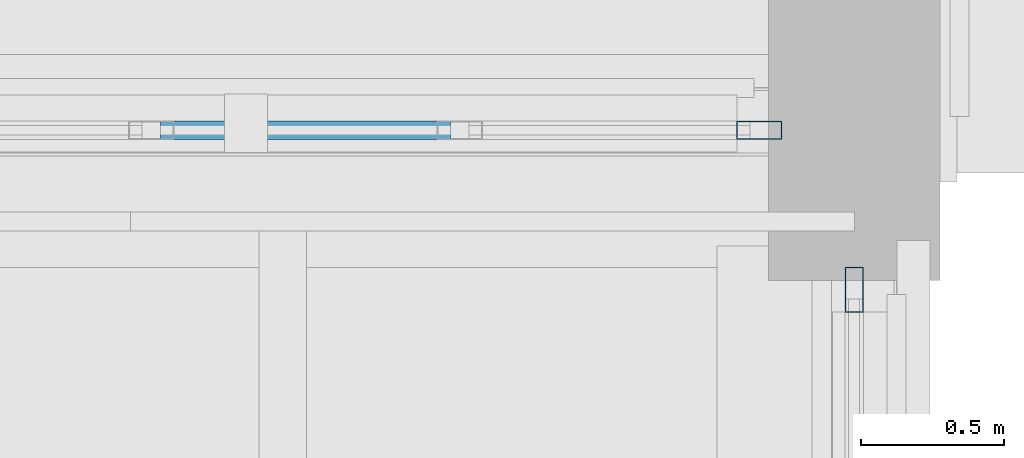
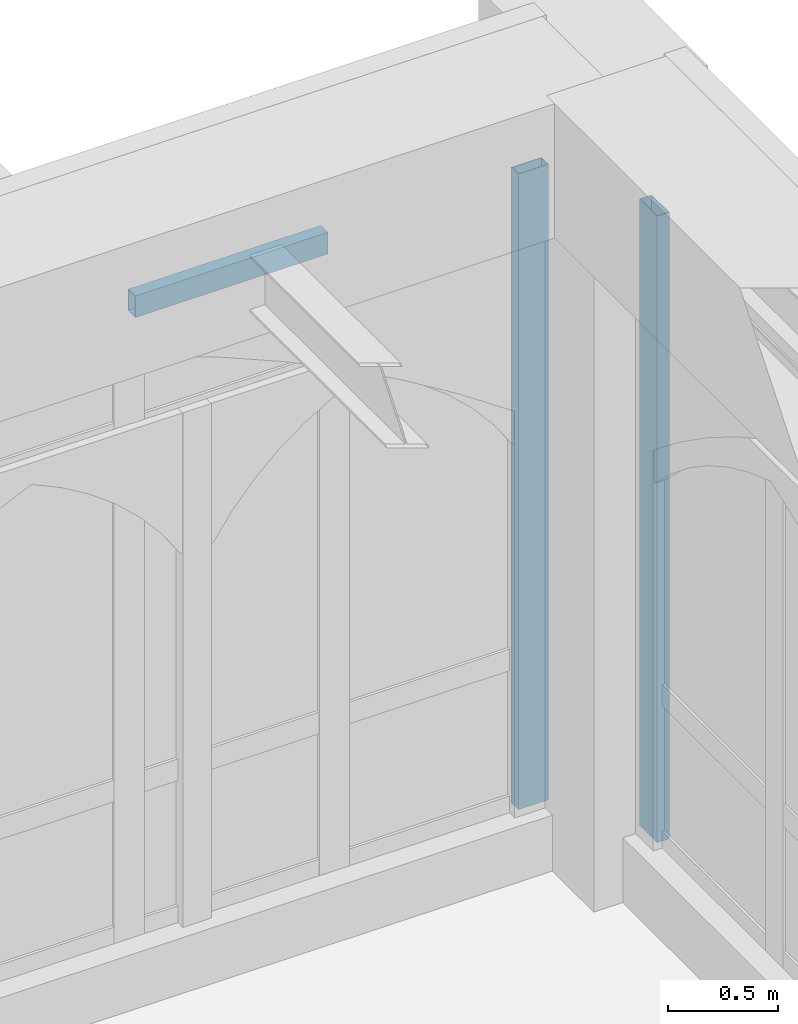
# One storey, part 68 of 143: 3 members, 2 elements without a shape of their own.
"""IFC4 building model written with IfcOpenShell, lengths in metres."""

from ifc_helpers import new_model, si_unit, direction, frame, origin, origin_2d, place, context, subcontext, project, spatial, hollow_rectangle, extrude, material, layer, layer_set, material_profile, profile_set, type_object, element, aggregate, save


model = new_model("IFC4")

# Units and contexts
model_context = context("Model", 3, precision=1e-05, world=origin(), true_north=direction((0.0, 1.0)))
body_context = subcontext(model_context, "Body", "Model", "MODEL_VIEW")
ifc_project = project(units=[si_unit("LENGTHUNIT", "METRE"), si_unit("AREAUNIT", "SQUARE_METRE"), si_unit("VOLUMEUNIT", "CUBIC_METRE"), si_unit("PLANEANGLEUNIT", "RADIAN"), si_unit("MASSUNIT", "GRAM", prefix="KILO")], contexts=[model_context])

# Site, building, storey
site_placement = place(None, origin())
site = spatial("IfcSite", under=ifc_project, at=site_placement, CompositionType="ELEMENT")
building_placement = place(site_placement, origin())
building = spatial("IfcBuilding", under=site, at=building_placement, Name="Cumevento Cable Car Station", CompositionType="ELEMENT")
storey_placement = place(building_placement, frame((0.0, 0.0, 9.0)))
storey = spatial("IfcBuildingStorey", under=building, at=storey_placement, Name="L03", CompositionType="ELEMENT", Elevation=9.0)

# Curtain wall, member
ifc_material_1 = material(Name="Anodised Bronze Aluminium AW-6063-T6", Category="aluminium")
ifc_layer_1 = layer(ifc_material_1, 0.177978515625)
ifc_layer_set_1 = layer_set([ifc_layer_1], Name="Anodised Bronze Aluminium AW-6063-T6")
curtain_wall_type_1 = type_object("IfcCurtainWallType", Name="Lancet Curtain Wall CW-04 1170", PredefinedType="NOTDEFINED", material=ifc_layer_set_1)
curtain_wall_1_placement = place(storey_placement, origin())
curtain_wall_1 = element("IfcCurtainWall", 1, at=curtain_wall_1_placement, inside=storey, type_object=curtain_wall_type_1, Name="Lancet Curtain Wall CW-04 L03 #115", PredefinedType="NOTDEFINED")
ifc_material_2 = material(Name="Anodised Bronze Aluminium AW-6063-T6", Category="aluminium")
ifc_material_profile_1 = material_profile(ifc_material_2, hollow_rectangle(XDim=0.06494140625, YDim=0.159912109375, WallThickness=0.00390625, at=origin_2d()), Name="ALUM65x160x4")
ifc_profile_set_1 = profile_set([ifc_material_profile_1], Name="Anodised Bronze Aluminium AW-6063-T6")
member_type_1 = type_object("IfcMemberType", Name="Curtain Mullion CWM-01 ALUM65x160x4", PredefinedType="MULLION", material=ifc_profile_set_1)
member_1_placement = place(storey_placement, frame((117.66748046875, 56.5, 0.31005859375), z_axis=(0.0, 0.0, 1.0), x_axis=(0.0, 1.0, 0.0)))
member_1 = element("IfcMember", 2, at=member_1_placement, type_object=member_type_1, Name="CW-04 mullion 6", PredefinedType="MULLION", context=body_context, shape_type="SweptSolid", body=[
    extrude(hollow_rectangle(XDim=0.06494140625, YDim=0.159912109375, WallThickness=0.00390625, at=origin_2d()), origin(), (0.0, 0.0, 1.0), 3.534912109375),
])

ifc_material_3 = material(Name="Anodised Bronze Aluminium AW-6063-T6", Category="aluminium")
ifc_layer_2 = layer(ifc_material_3, 0.18408203125)
ifc_layer_set_2 = layer_set([ifc_layer_2], Name="Anodised Bronze Aluminium AW-6063-T6")
curtain_wall_type_2 = type_object("IfcCurtainWallType", Name="Lancet Curtain Wall CW-05 1210", PredefinedType="NOTDEFINED", material=ifc_layer_set_2)
curtain_wall_2_placement = place(storey_placement, origin())
curtain_wall_2 = element("IfcCurtainWall", 3, at=curtain_wall_2_placement, inside=storey, type_object=curtain_wall_type_2, Name="Lancet Curtain Wall CW-05 L03 #116", PredefinedType="NOTDEFINED")
member_2_placement = place(storey_placement, frame((118.0, 55.9423828125, 0.360107421875), z_axis=(0.0, 0.0, 1.0), x_axis=(1.0, 0.0, 0.0)))
member_2 = element("IfcMember", 4, at=member_2_placement, type_object=member_type_1, Name="CW-05 mullion 1", PredefinedType="MULLION", context=body_context, shape_type="SweptSolid", body=[
    extrude(hollow_rectangle(XDim=0.06494140625, YDim=0.159912109375, WallThickness=0.00390625, at=origin_2d()), origin(), (0.0, 0.0, 1.0), 3.48486328125),
])
aggregate(curtain_wall_2, [member_2])

# Member
ifc_material_4 = material(Name="Anodised Bronze Aluminium AW-6063-T6", Category="aluminium")
ifc_material_profile_2 = material_profile(ifc_material_4, hollow_rectangle(XDim=0.06494140625, YDim=0.1201171875, WallThickness=0.00390625, at=origin_2d()), Name="ALUT65x120x4")
ifc_profile_set_2 = profile_set([ifc_material_profile_2], Name="Anodised Bronze Aluminium AW-6063-T6")
member_type_2 = type_object("IfcMemberType", Name="Curtain Transom CWT-01 ALUT65x120x4", PredefinedType="USERDEFINED", material=ifc_profile_set_2)
member_3_placement = place(storey_placement, frame((115.572509765625, 56.5, 3.8125), z_axis=(1.0, 0.0, 0.0), x_axis=(0.0, 1.0, 0.0)))
member_3 = element("IfcMember", 5, at=member_3_placement, type_object=member_type_2, Name="CW-04 transom 4.4", ObjectType="TRANSOM", PredefinedType="USERDEFINED", context=body_context, shape_type="SweptSolid", body=[
    extrude(hollow_rectangle(XDim=0.06494140625, YDim=0.1201171875, WallThickness=0.00390625, at=origin_2d()), origin(), (0.0, 0.0, 1.0), 1.014892578125),
])

aggregate(curtain_wall_1, [member_1, member_3])

save(model, "model.ifc")
